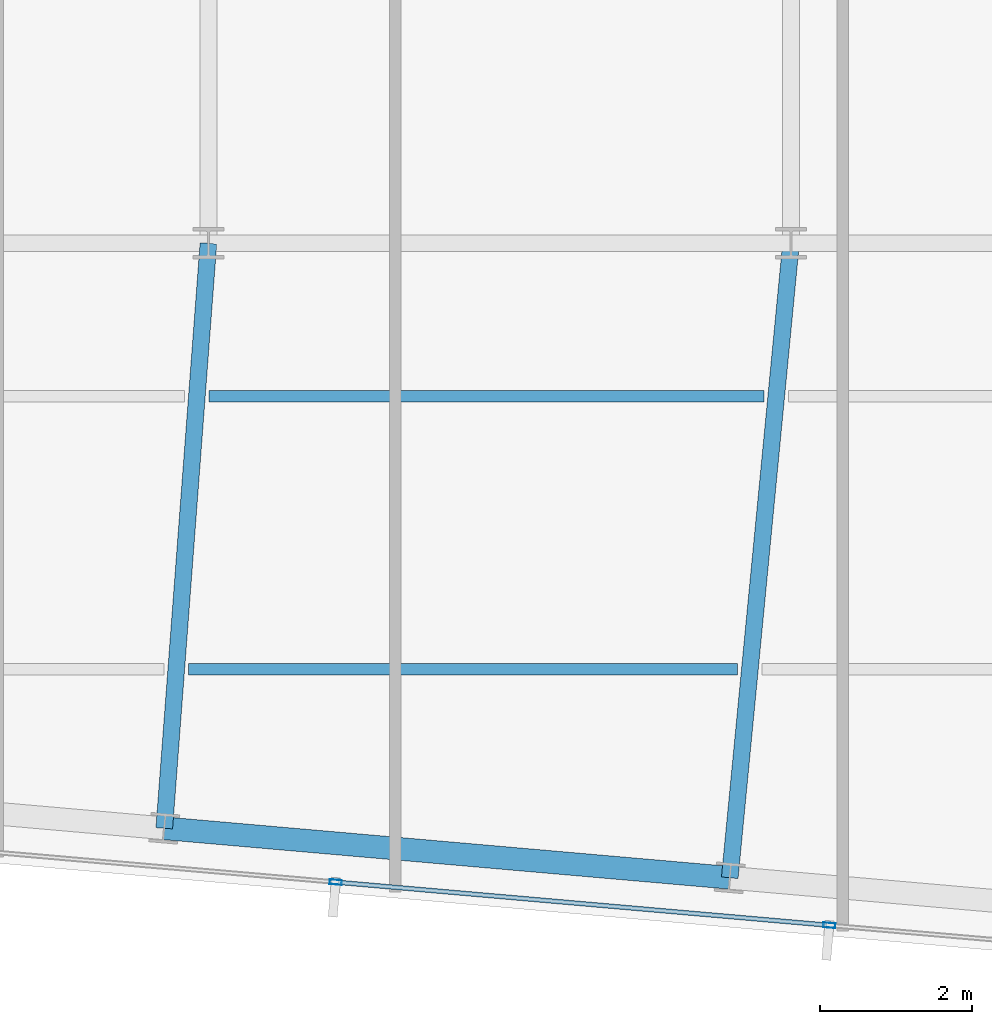
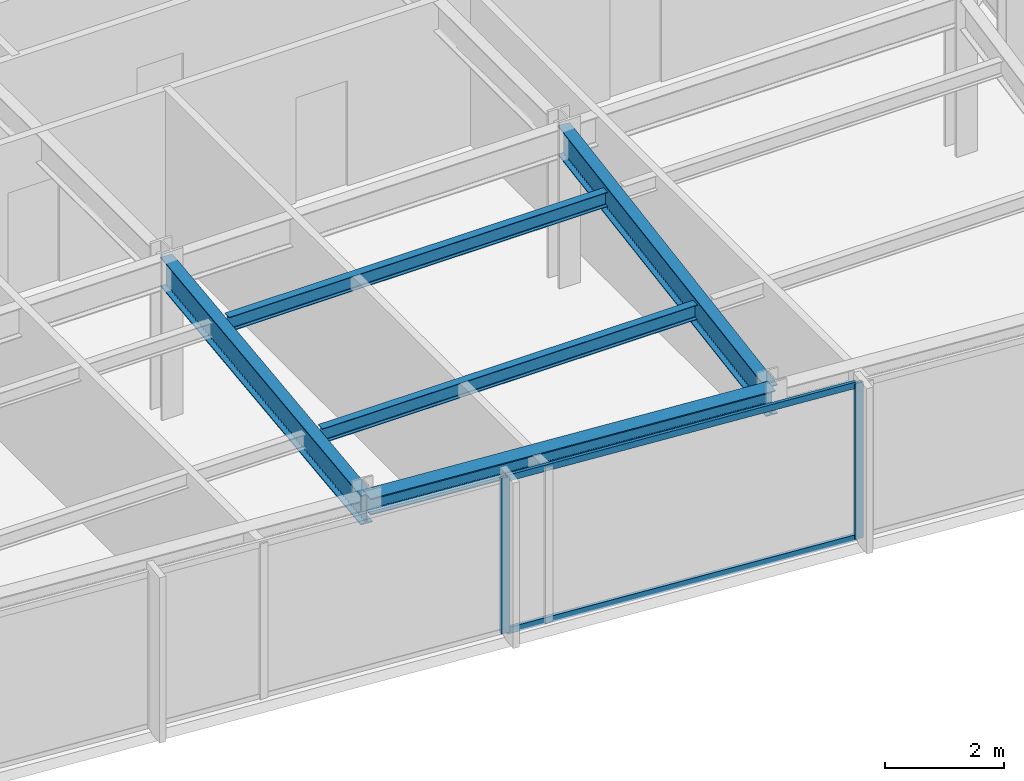
# One storey, part 13 of 32: 5 beams, 4 members, 1 element without a shape of its own.
"""IFC4 building model written with IfcOpenShell, lengths in metres."""

from ifc_helpers import new_model, si_unit, direction, frame, origin, origin_2d, place, context, subcontext, project, spatial, hollow_rectangle, i_section, extrude, material, material_profile, profile_set, type_object, element, aggregate, save


model = new_model("IFC4")

# Units and contexts
model_context = context("Model", 3, precision=1e-05, world=origin(), true_north=direction((0.0, 1.0)))
body_context = subcontext(model_context, "Body", "Model", "MODEL_VIEW")
ifc_project = project(units=[si_unit("LENGTHUNIT", "METRE"), si_unit("AREAUNIT", "SQUARE_METRE"), si_unit("VOLUMEUNIT", "CUBIC_METRE"), si_unit("PLANEANGLEUNIT", "RADIAN"), si_unit("MASSUNIT", "GRAM", prefix="KILO")], contexts=[model_context])

# Site, building, storey
site_placement = place(None, origin())
site = spatial("IfcSite", under=ifc_project, at=site_placement, CompositionType="ELEMENT")
building_placement = place(site_placement, origin())
building = spatial("IfcBuilding", under=site, at=building_placement, Name="Yelkora Congress Tower", CompositionType="ELEMENT")
storey_placement = place(building_placement, frame((0.0, 0.0, 293.10009765625)))
storey = spatial("IfcBuildingStorey", under=building, at=storey_placement, Name="L82", CompositionType="ELEMENT", Elevation=293.10009765625)

# Beams
ifc_material_1 = material(Name="Steel S355J2", Category="steel")
ifc_material_profile_1 = material_profile(ifc_material_1, i_section(OverallWidth=0.219970703125, OverallDepth=0.60009765625, WebThickness=0.011962890625, FlangeThickness=0.01904296875, FilletRadius=0.02392578125, at=origin_2d()), Name="IPE 600")
ifc_profile_set_1 = profile_set([ifc_material_profile_1], Name="Steel S355J2")
beam_type_1 = type_object("IfcBeamType", Name="BM-GIRD-IPE600", PredefinedType="BEAM", material=ifc_profile_set_1)
beam_1_placement = place(storey_placement, frame((37.8173828125, 17.489013671875, 2.8798828125), z_axis=(0.075329932006, 0.997158664077, 0.0), x_axis=(-0.997158664077, 0.075329932006, 0.0)))
element("IfcBeam", 1, at=beam_1_placement, inside=storey, type_object=beam_type_1, Name="L82 Primary Frame Girder S05", PredefinedType="BEAM", context=body_context, shape_type="SweptSolid", body=[
    extrude(i_section(OverallWidth=0.219970703125, OverallDepth=0.60009765625, WebThickness=0.011962890625, FlangeThickness=0.01904296875, FilletRadius=0.02392578125, at=origin_2d()), origin(), (0.0, 0.0, 1.0), 7.73291015625),
])
beam_2_placement = place(storey_placement, frame((45.2724609375, 16.836669921875, 2.8798828125), z_axis=(0.096119896563, 0.995369763196, 0.0), x_axis=(-0.995369763196, 0.096119896563, 0.0)))
element("IfcBeam", 2, at=beam_2_placement, inside=storey, type_object=beam_type_1, Name="L82 Primary Frame Girder S06", PredefinedType="BEAM", context=body_context, shape_type="SweptSolid", body=[
    extrude(i_section(OverallWidth=0.219970703125, OverallDepth=0.60009765625, WebThickness=0.011962890625, FlangeThickness=0.01904296875, FilletRadius=0.02392578125, at=origin_2d()), origin(), (0.0, 0.0, 1.0), 8.402099609375),
])
ifc_material_profile_2 = material_profile(ifc_material_1, i_section(OverallWidth=0.14990234375, OverallDepth=0.300048828125, WebThickness=0.007080078125, FlangeThickness=0.0107421875, FilletRadius=0.014892578125, at=origin_2d()), Name="IPE 300")
ifc_profile_set_2 = profile_set([ifc_material_profile_2], Name="Steel S355J2")
beam_type_2 = type_object("IfcBeamType", Name="BM-JOIST-IPE300", PredefinedType="JOIST", material=ifc_profile_set_2)
beam_3_placement = place(storey_placement, frame((38.1357421875, 19.58447265625, 3.02978515625), z_axis=(1.0, 0.0, 0.0), x_axis=(0.0, 1.0, 0.0)))
element("IfcBeam", 3, at=beam_3_placement, inside=storey, type_object=beam_type_2, Name="L82 Composite Floor Joist 3", PredefinedType="JOIST", context=body_context, shape_type="SweptSolid", body=[
    extrude(i_section(OverallWidth=0.14990234375, OverallDepth=0.300048828125, WebThickness=0.007080078125, FlangeThickness=0.0107421875, FilletRadius=0.014892578125, at=origin_2d()), origin(), (0.0, 0.0, 1.0), 7.241943359375),
])
beam_4_placement = place(storey_placement, frame((38.40771484375, 23.1845703125, 3.02978515625), z_axis=(1.0, 0.0, 0.0), x_axis=(0.0, 1.0, 0.0)))
element("IfcBeam", 4, at=beam_4_placement, inside=storey, type_object=beam_type_2, Name="L82 Composite Floor Joist 7", PredefinedType="JOIST", context=body_context, shape_type="SweptSolid", body=[
    extrude(i_section(OverallWidth=0.14990234375, OverallDepth=0.300048828125, WebThickness=0.007080078125, FlangeThickness=0.0107421875, FilletRadius=0.014892578125, at=origin_2d()), origin(), (0.0, 0.0, 1.0), 7.317626953125),
])
ifc_material_profile_3 = material_profile(ifc_material_1, i_section(OverallWidth=0.300048828125, OverallDepth=0.340087890625, WebThickness=0.011962890625, FlangeThickness=0.021484375, FilletRadius=0.027099609375, at=origin_2d()), Name="HEB 340")
ifc_profile_set_3 = profile_set([ifc_material_profile_3], Name="Steel S355J2")
beam_type_3 = type_object("IfcBeamType", Name="BM-SPAN-HEB340", PredefinedType="SPANDREL", material=ifc_profile_set_3)
beam_5_placement = place(storey_placement, frame((37.8173828125, 17.489013671875, 3.010009765625), z_axis=(0.996193434204, -0.08717018785, 0.0), x_axis=(0.08717018785, 0.996193434204, 0.0)))
element("IfcBeam", 5, at=beam_5_placement, inside=storey, type_object=beam_type_3, Name="L82 Perimeter Beam 5", PredefinedType="SPANDREL", context=body_context, shape_type="SweptSolid", body=[
    extrude(i_section(OverallWidth=0.300048828125, OverallDepth=0.340087890625, WebThickness=0.011962890625, FlangeThickness=0.021484375, FilletRadius=0.027099609375, at=origin_2d()), origin(), (0.0, 0.0, 1.0), 7.483642578125),
])

# Curtain wall, members
ifc_material_2 = material(Name="Anodised aluminium and insulated glass", Category="aluminium")
curtain_wall_type = type_object("IfcCurtainWallType", Name="CW-SYS-B5", PredefinedType="NOTDEFINED", material=ifc_material_2)
curtain_wall_placement = place(storey_placement, origin())
curtain_wall = element("IfcCurtainWall", 6, at=curtain_wall_placement, inside=storey, type_object=curtain_wall_type, Name="L82 Unitised Curtain Wall 20", PredefinedType="NOTDEFINED")
ifc_material_3 = material(Name="Anodised aluminium 6063-T6", Category="aluminium")
ifc_material_profile_4 = material_profile(ifc_material_3, hollow_rectangle(XDim=0.06494140625, YDim=0.159912109375, WallThickness=0.00390625, at=origin_2d()), Name="ALU 65x160x4")
ifc_profile_set_4 = profile_set([ifc_material_profile_4], Name="Anodised aluminium 6063-T6")
member_type_1 = type_object("IfcMemberType", Name="MEM-ML-B5", PredefinedType="MULLION", material=ifc_profile_set_4)
member_1_placement = place(storey_placement, frame((46.58447265625, 16.2099609375, 0.0), z_axis=(0.0, 0.0, 1.0), x_axis=(-0.087156829793, -0.996194602987, 0.0)))
member_1 = element("IfcMember", 7, at=member_1_placement, type_object=member_type_1, Name="CW-B5 mullion 2", PredefinedType="MULLION", context=body_context, shape_type="SweptSolid", body=[
    extrude(hollow_rectangle(XDim=0.06494140625, YDim=0.159912109375, WallThickness=0.00390625, at=origin_2d()), origin(), (0.0, 0.0, 1.0), 3.179931640625),
])
member_2_placement = place(storey_placement, frame((40.077880859375, 16.779296875, 0.0), z_axis=(0.0, 0.0, 1.0), x_axis=(-0.087156829793, -0.996194602987, 0.0)))
member_2 = element("IfcMember", 8, at=member_2_placement, type_object=member_type_1, Name="CW-B5 mullion 3", PredefinedType="MULLION", context=body_context, shape_type="SweptSolid", body=[
    extrude(hollow_rectangle(XDim=0.06494140625, YDim=0.159912109375, WallThickness=0.00390625, at=origin_2d()), origin(), (0.0, 0.0, 1.0), 3.179931640625),
])
ifc_material_profile_5 = material_profile(ifc_material_3, hollow_rectangle(XDim=0.06005859375, YDim=0.1298828125, WallThickness=0.00390625, at=origin_2d()), Name="ALU 60x130x4")
ifc_profile_set_5 = profile_set([ifc_material_profile_5], Name="Anodised aluminium 6063-T6")
member_type_2 = type_object("IfcMemberType", Name="MEM-TR-B5", PredefinedType="USERDEFINED", material=ifc_profile_set_5)
member_3_placement = place(storey_placement, frame((46.55224609375, 16.212890625, 0.02978515625), z_axis=(-0.996196257862, 0.087137912649, 0.0), x_axis=(-0.087137912649, -0.996196257862, 0.0)))
member_3 = element("IfcMember", 9, at=member_3_placement, type_object=member_type_2, Name="CW-B5 transom 2.1", ObjectType="TRANSOM", PredefinedType="USERDEFINED", context=body_context, shape_type="SweptSolid", body=[
    extrude(hollow_rectangle(XDim=0.06005859375, YDim=0.1298828125, WallThickness=0.00390625, at=origin_2d()), origin(), (0.0, 0.0, 1.0), 6.466552734375),
])
member_4_placement = place(storey_placement, frame((46.55224609375, 16.212890625, 3.14990234375), z_axis=(-0.996196257862, 0.087137912649, 0.0), x_axis=(-0.087137912649, -0.996196257862, 0.0)))
member_4 = element("IfcMember", 10, at=member_4_placement, type_object=member_type_2, Name="CW-B5 transom 2.2", ObjectType="TRANSOM", PredefinedType="USERDEFINED", context=body_context, shape_type="SweptSolid", body=[
    extrude(hollow_rectangle(XDim=0.06005859375, YDim=0.1298828125, WallThickness=0.00390625, at=origin_2d()), origin(), (0.0, 0.0, 1.0), 6.466552734375),
])
aggregate(curtain_wall, [member_1, member_2, member_3, member_4])

save(model, "model.ifc")
